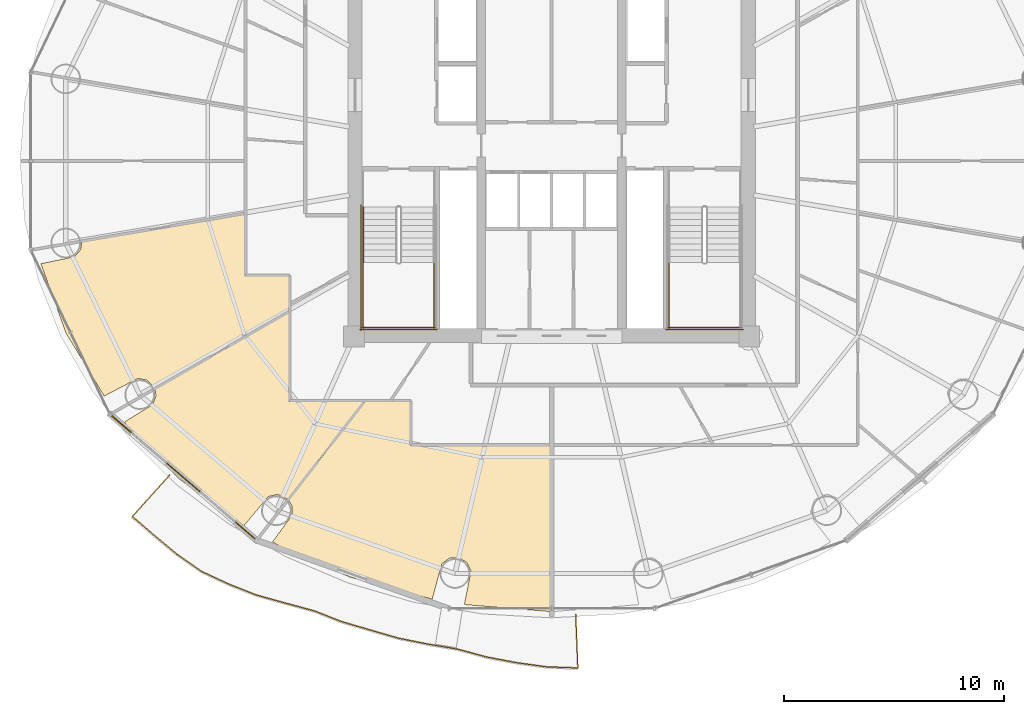
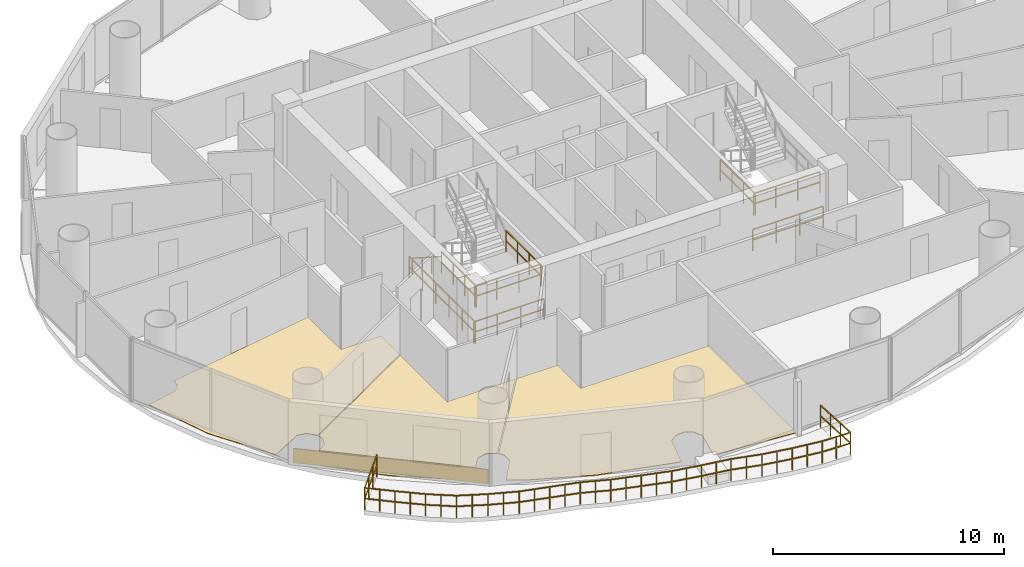
# One storey, part 24 of 26: 10 railings, 4 coverings.
"""IFC4 building model written with IfcOpenShell, lengths in metres."""

from ifc_helpers import new_model, si_unit, direction, frame, origin, origin_2d, place, context, subcontext, project, spatial, polyline, rectangle, outline, extrude, source, transform, mapped, material, layer, layer_set, type_object, element, save


model = new_model("IFC4")

# Units and contexts
model_context = context("Model", 3, precision=1e-05, world=origin(), true_north=direction((-0.2419218956, 0.970295726276)))
body_context = subcontext(model_context, "Body", "Model", "MODEL_VIEW")
ifc_project = project(units=[si_unit("LENGTHUNIT", "METRE"), si_unit("AREAUNIT", "SQUARE_METRE"), si_unit("VOLUMEUNIT", "CUBIC_METRE"), si_unit("PLANEANGLEUNIT", "RADIAN"), si_unit("MASSUNIT", "GRAM", prefix="KILO")], contexts=[model_context])

# Site, building, storey
site_placement = place(None, origin())
site = spatial("IfcSite", under=ifc_project, at=site_placement, CompositionType="ELEMENT")
building_placement = place(site_placement, origin())
building = spatial("IfcBuilding", under=site, at=building_placement, Name="Cobrevalo Terracotta Tower", CompositionType="ELEMENT")
storey_placement = place(building_placement, frame((0.0, 0.0, 175.0)))
storey = spatial("IfcBuildingStorey", under=building, at=storey_placement, Name="L46", CompositionType="ELEMENT", Elevation=175.0)

# Railing
ifc_material_1 = material(Name="Laminated structural glass and stainless steel", Category="steel")
railing_type_1 = type_object("IfcRailingType", Name="Balcony lobe structural glass & terracotta-cap balustrade 1180 mm", PredefinedType="BALUSTRADE", material=ifc_material_1)
railing_1_placement = place(storey_placement, frame((20.60400390625, 12.495849609375, 0.0)))
element("IfcRailing", 1, at=railing_1_placement, inside=storey, type_object=railing_type_1, Name="L46 spiralling balcony lobe balustrade 2", PredefinedType="BALUSTRADE", context=body_context, shape_type="SweptSolid", body=[
    extrude(rectangle(XDim=0.048095703125, YDim=0.048095703125, at=origin_2d()), frame((0.0, 0.0, 1.15576171875), z_axis=(-0.66860239714, -0.743620087503, 0.0), x_axis=(0.743620087503, -0.66860239714, 0.0)), (0.0, 0.0, 1.0), 2.531982421875),
    extrude(rectangle(XDim=0.048095703125, YDim=0.048095703125, at=origin_2d()), frame((0.0, 0.0, 0.58984375), z_axis=(-0.66860239714, -0.743620087503, 0.0), x_axis=(0.743620087503, -0.66860239714, 0.0)), (0.0, 0.0, 1.0), 2.531982421875),
    extrude(rectangle(XDim=0.048095703125, YDim=0.048095703125, at=origin_2d()), frame((-1.69287109375, -1.8828125, 1.15576171875), z_axis=(0.757700778266, -0.652602122748, 0.0), x_axis=(0.652602122748, 0.757700778266, 0.0)), (0.0, 0.0, 1.0), 1.3310546875),
    extrude(rectangle(XDim=0.048095703125, YDim=0.048095703125, at=origin_2d()), frame((-1.69287109375, -1.8828125, 0.58984375), z_axis=(0.757700778266, -0.652602122748, 0.0), x_axis=(0.652602122748, 0.757700778266, 0.0)), (0.0, 0.0, 1.0), 1.3310546875),
    extrude(rectangle(XDim=0.048095703125, YDim=0.048095703125, at=origin_2d()), frame((-0.684326171875, -2.75146484375, 1.15576171875), z_axis=(0.770212764142, -0.637787031816, 0.0), x_axis=(0.637787031816, 0.770212764142, 0.0)), (0.0, 0.0, 1.0), 1.343994140625),
    extrude(rectangle(XDim=0.048095703125, YDim=0.048095703125, at=origin_2d()), frame((-0.684326171875, -2.75146484375, 0.58984375), z_axis=(0.770212764142, -0.637787031816, 0.0), x_axis=(0.637787031816, 0.770212764142, 0.0)), (0.0, 0.0, 1.0), 1.343994140625),
    extrude(rectangle(XDim=0.048095703125, YDim=0.048095703125, at=origin_2d()), frame((0.350830078125, -3.608642578125, 1.15576171875), z_axis=(0.819112394064, -0.573633058576, 0.0), x_axis=(0.573633058576, 0.819112394064, 0.0)), (0.0, 0.0, 1.0), 1.34375),
    extrude(rectangle(XDim=0.048095703125, YDim=0.048095703125, at=origin_2d()), frame((0.350830078125, -3.608642578125, 0.58984375), z_axis=(0.819112394064, -0.573633058576, 0.0), x_axis=(0.573633058576, 0.819112394064, 0.0)), (0.0, 0.0, 1.0), 1.34375),
    extrude(rectangle(XDim=0.048095703125, YDim=0.048095703125, at=origin_2d()), frame((1.451416015625, -4.37939453125, 1.15576171875), z_axis=(0.906169457302, -0.422914784151, 0.0), x_axis=(0.422914784151, 0.906169457302, 0.0)), (0.0, 0.0, 1.0), 1.36767578125),
    extrude(rectangle(XDim=0.048095703125, YDim=0.048095703125, at=origin_2d()), frame((1.451416015625, -4.37939453125, 0.58984375), z_axis=(0.906169457302, -0.422914784151, 0.0), x_axis=(0.422914784151, 0.906169457302, 0.0)), (0.0, 0.0, 1.0), 1.36767578125),
    extrude(rectangle(XDim=0.048095703125, YDim=0.048095703125, at=origin_2d()), frame((2.690673828125, -4.957763671875, 1.15576171875), z_axis=(0.929992128901, -0.367579433841, 0.0), x_axis=(0.367579433841, 0.929992128901, 0.0)), (0.0, 0.0, 1.0), 1.359619140625),
    extrude(rectangle(XDim=0.048095703125, YDim=0.048095703125, at=origin_2d()), frame((2.690673828125, -4.957763671875, 0.58984375), z_axis=(0.929992128901, -0.367579433841, 0.0), x_axis=(0.367579433841, 0.929992128901, 0.0)), (0.0, 0.0, 1.0), 1.359619140625),
    extrude(rectangle(XDim=0.048095703125, YDim=0.048095703125, at=origin_2d()), frame((3.955078125, -5.45751953125, 1.15576171875), z_axis=(0.963533212047, -0.267588768978, 0.0), x_axis=(0.267588768978, 0.963533212047, 0.0)), (0.0, 0.0, 1.0), 1.371337890625),
    extrude(rectangle(XDim=0.048095703125, YDim=0.048095703125, at=origin_2d()), frame((3.955078125, -5.45751953125, 0.58984375), z_axis=(0.963533212047, -0.267588768978, 0.0), x_axis=(0.267588768978, 0.963533212047, 0.0)), (0.0, 0.0, 1.0), 1.371337890625),
    extrude(rectangle(XDim=0.048095703125, YDim=0.048095703125, at=origin_2d()), frame((5.2763671875, -5.824462890625, 1.15576171875), z_axis=(0.965325469079, -0.261049303289, 0.0), x_axis=(0.261049303289, 0.965325469079, 0.0)), (0.0, 0.0, 1.0), 1.35888671875),
    extrude(rectangle(XDim=0.048095703125, YDim=0.048095703125, at=origin_2d()), frame((5.2763671875, -5.824462890625, 0.58984375), z_axis=(0.965325469079, -0.261049303289, 0.0), x_axis=(0.261049303289, 0.965325469079, 0.0)), (0.0, 0.0, 1.0), 1.35888671875),
    extrude(rectangle(XDim=0.048095703125, YDim=0.048095703125, at=origin_2d()), frame((6.588134765625, -6.17919921875, 1.15576171875), z_axis=(0.931210574884, -0.364481639076, 0.0), x_axis=(0.364481639076, 0.931210574884, 0.0)), (0.0, 0.0, 1.0), 1.34228515625),
    extrude(rectangle(XDim=0.048095703125, YDim=0.048095703125, at=origin_2d()), frame((6.588134765625, -6.17919921875, 0.58984375), z_axis=(0.931210574884, -0.364481639076, 0.0), x_axis=(0.364481639076, 0.931210574884, 0.0)), (0.0, 0.0, 1.0), 1.34228515625),
    extrude(rectangle(XDim=0.048095703125, YDim=0.048095703125, at=origin_2d()), frame((7.838134765625, -6.66845703125, 1.15576171875), z_axis=(0.95968051709, -0.281093054198, 0.0), x_axis=(0.281093054198, 0.95968051709, 0.0)), (0.0, 0.0, 1.0), 1.35498046875),
    extrude(rectangle(XDim=0.048095703125, YDim=0.048095703125, at=origin_2d()), frame((7.838134765625, -6.66845703125, 0.58984375), z_axis=(0.95968051709, -0.281093054198, 0.0), x_axis=(0.281093054198, 0.95968051709, 0.0)), (0.0, 0.0, 1.0), 1.35498046875),
    extrude(rectangle(XDim=0.048095703125, YDim=0.048095703125, at=origin_2d()), frame((9.138427734375, -7.04931640625, 1.15576171875), z_axis=(0.96043492504, -0.278504496844, 0.0), x_axis=(0.278504496844, 0.96043492504, 0.0)), (0.0, 0.0, 1.0), 1.354248046875),
    extrude(rectangle(XDim=0.048095703125, YDim=0.048095703125, at=origin_2d()), frame((9.138427734375, -7.04931640625, 0.58984375), z_axis=(0.96043492504, -0.278504496844, 0.0), x_axis=(0.278504496844, 0.96043492504, 0.0)), (0.0, 0.0, 1.0), 1.354248046875),
    extrude(rectangle(XDim=0.048095703125, YDim=0.048095703125, at=origin_2d()), frame((10.439208984375, -7.426513671875, 1.15576171875), z_axis=(0.980759694429, -0.195218907343, 0.0), x_axis=(0.195218907343, 0.980759694429, 0.0)), (0.0, 0.0, 1.0), 1.360595703125),
    extrude(rectangle(XDim=0.048095703125, YDim=0.048095703125, at=origin_2d()), frame((10.439208984375, -7.426513671875, 0.58984375), z_axis=(0.980759694429, -0.195218907343, 0.0), x_axis=(0.195218907343, 0.980759694429, 0.0)), (0.0, 0.0, 1.0), 1.360595703125),
    extrude(rectangle(XDim=0.048095703125, YDim=0.048095703125, at=origin_2d()), frame((11.773681640625, -7.692138671875, 1.15576171875), z_axis=(0.985748009451, -0.168228600015, 0.0), x_axis=(0.168228600015, 0.985748009451, 0.0)), (0.0, 0.0, 1.0), 1.3642578125),
    extrude(rectangle(XDim=0.048095703125, YDim=0.048095703125, at=origin_2d()), frame((11.773681640625, -7.692138671875, 0.58984375), z_axis=(0.985748009451, -0.168228600015, 0.0), x_axis=(0.168228600015, 0.985748009451, 0.0)), (0.0, 0.0, 1.0), 1.3642578125),
    extrude(rectangle(XDim=0.048095703125, YDim=0.048095703125, at=origin_2d()), frame((13.118408203125, -7.921630859375, 1.15576171875), z_axis=(0.965296001871, -0.261158244694, 0.0), x_axis=(0.261158244694, 0.965296001871, 0.0)), (0.0, 0.0, 1.0), 1.381591796875),
    extrude(rectangle(XDim=0.048095703125, YDim=0.048095703125, at=origin_2d()), frame((13.118408203125, -7.921630859375, 0.58984375), z_axis=(0.965296001871, -0.261158244694, 0.0), x_axis=(0.261158244694, 0.965296001871, 0.0)), (0.0, 0.0, 1.0), 1.381591796875),
    extrude(rectangle(XDim=0.048095703125, YDim=0.048095703125, at=origin_2d()), frame((14.4521484375, -8.282470703125, 1.15576171875), z_axis=(0.982650784604, -0.185465456397, 0.0), x_axis=(0.185465456397, 0.982650784604, 0.0)), (0.0, 0.0, 1.0), 1.39013671875),
    extrude(rectangle(XDim=0.048095703125, YDim=0.048095703125, at=origin_2d()), frame((14.4521484375, -8.282470703125, 0.58984375), z_axis=(0.982650784604, -0.185465456397, 0.0), x_axis=(0.185465456397, 0.982650784604, 0.0)), (0.0, 0.0, 1.0), 1.39013671875),
    extrude(rectangle(XDim=0.048095703125, YDim=0.048095703125, at=origin_2d()), frame((15.818115234375, -8.540283203125, 1.15576171875), z_axis=(0.9906235785, -0.13661963885, 0.0), x_axis=(0.13661963885, 0.9906235785, 0.0)), (0.0, 0.0, 1.0), 1.395751953125),
    extrude(rectangle(XDim=0.048095703125, YDim=0.048095703125, at=origin_2d()), frame((15.818115234375, -8.540283203125, 0.58984375), z_axis=(0.9906235785, -0.13661963885, 0.0), x_axis=(0.13661963885, 0.9906235785, 0.0)), (0.0, 0.0, 1.0), 1.395751953125),
    extrude(rectangle(XDim=0.048095703125, YDim=0.048095703125, at=origin_2d()), frame((17.20068359375, -8.73095703125, 1.15576171875), z_axis=(0.999434161581, -0.033635645753, 0.0), x_axis=(0.033635645753, 0.999434161581, 0.0)), (0.0, 0.0, 1.0), 1.3935546875),
    extrude(rectangle(XDim=0.048095703125, YDim=0.048095703125, at=origin_2d()), frame((17.20068359375, -8.73095703125, 0.58984375), z_axis=(0.999434161581, -0.033635645753, 0.0), x_axis=(0.033635645753, 0.999434161581, 0.0)), (0.0, 0.0, 1.0), 1.3935546875),
    extrude(rectangle(XDim=0.048095703125, YDim=0.048095703125, at=origin_2d()), frame((18.593505859375, -8.77783203125, 1.15576171875), z_axis=(-0.039487733379, 0.999220055299, 0.0), x_axis=(-0.999220055299, -0.039487733379, 0.0)), (0.0, 0.0, 1.0), 2.43603515625),
    extrude(rectangle(XDim=0.048095703125, YDim=0.048095703125, at=origin_2d()), frame((18.593505859375, -8.77783203125, 0.58984375), z_axis=(-0.039487733379, 0.999220055299, 0.0), x_axis=(-0.999220055299, -0.039487733379, 0.0)), (0.0, 0.0, 1.0), 2.43603515625),
    extrude(rectangle(XDim=0.0419921875, YDim=0.0419921875, at=origin_2d()), origin(), (0.0, 0.0, 1.0), 1.1318359375),
    extrude(rectangle(XDim=0.0419921875, YDim=0.0419921875, at=origin_2d()), frame((-0.564208984375, -0.627685546875, 0.0)), (0.0, 0.0, 1.0), 1.1318359375),
    extrude(rectangle(XDim=0.0419921875, YDim=0.0419921875, at=origin_2d()), frame((-1.128662109375, -1.255126953125, 0.0)), (0.0, 0.0, 1.0), 1.1318359375),
    extrude(rectangle(XDim=0.0419921875, YDim=0.0419921875, at=origin_2d()), frame((-1.69287109375, -1.8828125, 0.0)), (0.0, 0.0, 1.0), 1.1318359375),
    extrude(rectangle(XDim=0.0419921875, YDim=0.0419921875, at=origin_2d()), frame((-1.1884765625, -2.317138671875, 0.0)), (0.0, 0.0, 1.0), 1.1318359375),
    extrude(rectangle(XDim=0.0419921875, YDim=0.0419921875, at=origin_2d()), frame((-0.684326171875, -2.75146484375, 0.0)), (0.0, 0.0, 1.0), 1.1318359375),
    extrude(rectangle(XDim=0.0419921875, YDim=0.0419921875, at=origin_2d()), frame((-0.166748046875, -3.18017578125, 0.0)), (0.0, 0.0, 1.0), 1.1318359375),
    extrude(rectangle(XDim=0.0419921875, YDim=0.0419921875, at=origin_2d()), frame((0.350830078125, -3.608642578125, 0.0)), (0.0, 0.0, 1.0), 1.1318359375),
    extrude(rectangle(XDim=0.0419921875, YDim=0.0419921875, at=origin_2d()), frame((0.901123046875, -3.994140625, 0.0)), (0.0, 0.0, 1.0), 1.1318359375),
    extrude(rectangle(XDim=0.0419921875, YDim=0.0419921875, at=origin_2d()), frame((1.451416015625, -4.37939453125, 0.0)), (0.0, 0.0, 1.0), 1.1318359375),
    extrude(rectangle(XDim=0.0419921875, YDim=0.0419921875, at=origin_2d()), frame((2.071044921875, -4.66845703125, 0.0)), (0.0, 0.0, 1.0), 1.1318359375),
    extrude(rectangle(XDim=0.0419921875, YDim=0.0419921875, at=origin_2d()), frame((2.690673828125, -4.957763671875, 0.0)), (0.0, 0.0, 1.0), 1.1318359375),
    extrude(rectangle(XDim=0.0419921875, YDim=0.0419921875, at=origin_2d()), frame((3.32275390625, -5.20751953125, 0.0)), (0.0, 0.0, 1.0), 1.1318359375),
    extrude(rectangle(XDim=0.0419921875, YDim=0.0419921875, at=origin_2d()), frame((3.955078125, -5.45751953125, 0.0)), (0.0, 0.0, 1.0), 1.1318359375),
    extrude(rectangle(XDim=0.0419921875, YDim=0.0419921875, at=origin_2d()), frame((4.61572265625, -5.64111328125, 0.0)), (0.0, 0.0, 1.0), 1.1318359375),
    extrude(rectangle(XDim=0.0419921875, YDim=0.0419921875, at=origin_2d()), frame((5.2763671875, -5.824462890625, 0.0)), (0.0, 0.0, 1.0), 1.1318359375),
    extrude(rectangle(XDim=0.0419921875, YDim=0.0419921875, at=origin_2d()), frame((5.93212890625, -6.001953125, 0.0)), (0.0, 0.0, 1.0), 1.1318359375),
    extrude(rectangle(XDim=0.0419921875, YDim=0.0419921875, at=origin_2d()), frame((6.588134765625, -6.17919921875, 0.0)), (0.0, 0.0, 1.0), 1.1318359375),
    extrude(rectangle(XDim=0.0419921875, YDim=0.0419921875, at=origin_2d()), frame((7.213134765625, -6.423828125, 0.0)), (0.0, 0.0, 1.0), 1.1318359375),
    extrude(rectangle(XDim=0.0419921875, YDim=0.0419921875, at=origin_2d()), frame((7.838134765625, -6.66845703125, 0.0)), (0.0, 0.0, 1.0), 1.1318359375),
    extrude(rectangle(XDim=0.0419921875, YDim=0.0419921875, at=origin_2d()), frame((8.48828125, -6.85888671875, 0.0)), (0.0, 0.0, 1.0), 1.1318359375),
    extrude(rectangle(XDim=0.0419921875, YDim=0.0419921875, at=origin_2d()), frame((9.138427734375, -7.04931640625, 0.0)), (0.0, 0.0, 1.0), 1.1318359375),
    extrude(rectangle(XDim=0.0419921875, YDim=0.0419921875, at=origin_2d()), frame((9.788818359375, -7.23779296875, 0.0)), (0.0, 0.0, 1.0), 1.1318359375),
    extrude(rectangle(XDim=0.0419921875, YDim=0.0419921875, at=origin_2d()), frame((10.439208984375, -7.426513671875, 0.0)), (0.0, 0.0, 1.0), 1.1318359375),
    extrude(rectangle(XDim=0.0419921875, YDim=0.0419921875, at=origin_2d()), frame((11.1064453125, -7.559326171875, 0.0)), (0.0, 0.0, 1.0), 1.1318359375),
    extrude(rectangle(XDim=0.0419921875, YDim=0.0419921875, at=origin_2d()), frame((11.773681640625, -7.692138671875, 0.0)), (0.0, 0.0, 1.0), 1.1318359375),
    extrude(rectangle(XDim=0.0419921875, YDim=0.0419921875, at=origin_2d()), frame((12.446044921875, -7.806884765625, 0.0)), (0.0, 0.0, 1.0), 1.1318359375),
    extrude(rectangle(XDim=0.0419921875, YDim=0.0419921875, at=origin_2d()), frame((13.118408203125, -7.921630859375, 0.0)), (0.0, 0.0, 1.0), 1.1318359375),
    extrude(rectangle(XDim=0.0419921875, YDim=0.0419921875, at=origin_2d()), frame((13.78515625, -8.10205078125, 0.0)), (0.0, 0.0, 1.0), 1.1318359375),
    extrude(rectangle(XDim=0.0419921875, YDim=0.0419921875, at=origin_2d()), frame((14.4521484375, -8.282470703125, 0.0)), (0.0, 0.0, 1.0), 1.1318359375),
    extrude(rectangle(XDim=0.0419921875, YDim=0.0419921875, at=origin_2d()), frame((15.13525390625, -8.411376953125, 0.0)), (0.0, 0.0, 1.0), 1.1318359375),
    extrude(rectangle(XDim=0.0419921875, YDim=0.0419921875, at=origin_2d()), frame((15.818115234375, -8.540283203125, 0.0)), (0.0, 0.0, 1.0), 1.1318359375),
    extrude(rectangle(XDim=0.0419921875, YDim=0.0419921875, at=origin_2d()), frame((16.50927734375, -8.6357421875, 0.0)), (0.0, 0.0, 1.0), 1.1318359375),
    extrude(rectangle(XDim=0.0419921875, YDim=0.0419921875, at=origin_2d()), frame((17.20068359375, -8.73095703125, 0.0)), (0.0, 0.0, 1.0), 1.1318359375),
    extrude(rectangle(XDim=0.0419921875, YDim=0.0419921875, at=origin_2d()), frame((17.89697265625, -8.75439453125, 0.0)), (0.0, 0.0, 1.0), 1.1318359375),
    extrude(rectangle(XDim=0.0419921875, YDim=0.0419921875, at=origin_2d()), frame((18.593505859375, -8.77783203125, 0.0)), (0.0, 0.0, 1.0), 1.1318359375),
    extrude(rectangle(XDim=0.0419921875, YDim=0.0419921875, at=origin_2d()), frame((18.5615234375, -7.966552734375, 0.0)), (0.0, 0.0, 1.0), 1.1318359375),
    extrude(rectangle(XDim=0.0419921875, YDim=0.0419921875, at=origin_2d()), frame((18.529296875, -7.155029296875, 0.0)), (0.0, 0.0, 1.0), 1.1318359375),
    extrude(rectangle(XDim=0.0419921875, YDim=0.0419921875, at=origin_2d()), frame((18.497314453125, -6.34375, 0.0)), (0.0, 0.0, 1.0), 1.1318359375),
])

# Coverings
ifc_material_2 = material(Name="Engineered Brazilian hardwood flooring", Category="wood")
ifc_layer_1 = layer(ifc_material_2, 0.028076171875)
ifc_layer_set_1 = layer_set([ifc_layer_1], Name="Engineered Brazilian hardwood flooring")
covering_type_1 = type_object("IfcCoveringType", Name="Engineered Hardwood Suite Flooring 28", PredefinedType="FLOORING", material=ifc_layer_set_1)
covering_1_placement = place(storey_placement, origin())
element("IfcCovering", 2, at=covering_1_placement, inside=storey, type_object=covering_type_1, Name="Flat L46A Penthouse Family Lounge floor finish", PredefinedType="FLOORING", context=body_context, shape_type="SweptSolid", body=[
    extrude(outline(polyline([(15.900390625, 18.948486328125), (14.748291015625, 22.121826171875), (16.2763671875, 22.43701171875), (16.55859375, 22.760986328125), (16.617431640625, 23.1240234375), (24.044921875, 24.393798828125), (24.044921875, 21.570068359375), (26.054931640625, 21.570068359375), (26.054931640625, 19.963134765625), (19.929931640625, 16.4453125), (19.582763671875, 16.822021484375), (19.1591796875, 16.895263671875), (17.632568359375, 16.09375), (15.900390625, 18.948486328125)])), origin(), (0.0, 0.0, 1.0), 0.030029296875),
])
covering_2_placement = place(storey_placement, origin())
element("IfcCovering", 3, at=covering_2_placement, inside=storey, type_object=covering_type_1, Name="Flat L46A Penthouse Family Lounge floor finish", PredefinedType="FLOORING", context=body_context, shape_type="SweptSolid", body=[
    extrude(outline(polyline([(21.0849609375, 12.291259765625), (19.02197265625, 14.309326171875), (18.551513671875, 14.91357421875), (19.834228515625, 15.705810546875), (19.988525390625, 16.10693359375), (19.94384765625, 16.4072265625), (26.054931640625, 19.9169921875), (26.054931640625, 15.85498046875), (29.466064453125, 15.85498046875), (25.997802734375, 11.3935546875), (25.529296875, 11.615234375), (25.109619140625, 11.522705078125), (23.99755859375, 10.2001953125), (21.0849609375, 12.291259765625)])), origin(), (0.0, 0.0, 1.0), 0.030029296875),
])
covering_3_placement = place(storey_placement, origin())
element("IfcCovering", 4, at=covering_3_placement, inside=storey, type_object=covering_type_1, Name="Flat L46A Private Cinema Room floor finish", PredefinedType="FLOORING", context=body_context, shape_type="SweptSolid", body=[
    extrude(outline(polyline([(26.038818359375, 9.02978515625), (25.295166015625, 9.4560546875), (26.184326171875, 10.67724609375), (26.175537109375, 11.106689453125), (26.02490234375, 11.363525390625), (29.5166015625, 15.85498046875), (31.570068359375, 15.85498046875), (31.570068359375, 13.844970703125), (37.97998046875, 13.844970703125), (37.97998046875, 6.28125), (34.02880859375, 6.6005859375), (34.3310546875, 8.1376953125), (34.141357421875, 8.5234375), (33.76953125, 8.738525390625), (33.3408203125, 8.7109375), (32.99951171875, 8.44970703125), (32.567138671875, 6.849853515625), (28.84521484375, 7.84228515625), (26.038818359375, 9.02978515625)])), origin(), (0.0, 0.0, 1.0), 0.030029296875),
])

# Railings
ifc_material_3 = material(Name="Brushed stainless steel", Category="steel")
railing_type_2 = type_object("IfcRailingType", Name="Stainless Steel Stair Handrail 900", PredefinedType="HANDRAIL", material=ifc_material_3)
railing_2_placement = place(storey_placement, frame((29.425048828125, 24.699951171875, 0.179931640625)))
element("IfcRailing", 5, at=railing_2_placement, inside=storey, type_object=railing_type_2, Name="L46 ST-1 stair handrail 1", PredefinedType="HANDRAIL", context=body_context, shape_type="SweptSolid", body=[
    extrude(rectangle(XDim=0.048095703125, YDim=0.048095703125, at=origin_2d()), frame((0.0, 0.0, 0.8759765625), z_axis=(0.0, -0.841162588446, 0.540782303519), x_axis=(1.0, 0.0, 0.0)), (0.0, 0.0, 1.0), 2.995849609375),
    extrude(rectangle(XDim=0.0419921875, YDim=0.0419921875, at=origin_2d()), origin(), (0.0, 0.0, 1.0), 0.851806640625),
    extrude(rectangle(XDim=0.0419921875, YDim=0.0419921875, at=origin_2d()), frame((0.0, -0.840087890625, 0.5400390625)), (0.0, 0.0, 1.0), 0.851806640625),
    extrude(rectangle(XDim=0.0419921875, YDim=0.0419921875, at=origin_2d()), frame((0.0, -1.679931640625, 1.080078125)), (0.0, 0.0, 1.0), 0.851806640625),
    extrude(rectangle(XDim=0.0419921875, YDim=0.0419921875, at=origin_2d()), frame((0.0, -2.52001953125, 1.6201171875)), (0.0, 0.0, 1.0), 0.851806640625),
])
ifc_material_4 = material(Name="Painted galvanized steel", Category="steel")
railing_type_3 = type_object("IfcRailingType", Name="Stair Well Guard Balustrade 1150", PredefinedType="GUARDRAIL", material=ifc_material_4)
for number, where, name in (
    (6, (29.425048828125, 22.179931640625, 1.800048828125), "L46 ST-1 stair guard 3"),
    (7, (32.64501953125, 22.179931640625, 1.800048828125), "L46 ST-1 stair guard 4"),
):
    element("IfcRailing", number, at=place(storey_placement, frame(where)), inside=storey, type_object=railing_type_3, Name=name, PredefinedType="GUARDRAIL", context=body_context, shape_type="SweptSolid", body=[
        extrude(rectangle(XDim=0.048095703125, YDim=0.048095703125, at=origin_2d()), frame((0.0, 0.0, 1.1259765625), z_axis=(0.0, -1.0, 0.0), x_axis=(1.0, 0.0, 0.0)), (0.0, 0.0, 1.0), 3.0048828125),
        extrude(rectangle(XDim=0.048095703125, YDim=0.048095703125, at=origin_2d()), frame((0.0, 0.0, 0.574951171875), z_axis=(0.0, -1.0, 0.0), x_axis=(1.0, 0.0, 0.0)), (0.0, 0.0, 1.0), 3.0048828125),
        extrude(rectangle(XDim=0.0419921875, YDim=0.0419921875, at=origin_2d()), origin(), (0.0, 0.0, 1.0), 1.101806640625),
        extrude(rectangle(XDim=0.0419921875, YDim=0.0419921875, at=origin_2d()), frame((0.0, -1.001708984375, 0.0)), (0.0, 0.0, 1.0), 1.101806640625),
        extrude(rectangle(XDim=0.0419921875, YDim=0.0419921875, at=origin_2d()), frame((0.0, -2.003173828125, 0.0)), (0.0, 0.0, 1.0), 1.101806640625),
        extrude(rectangle(XDim=0.0419921875, YDim=0.0419921875, at=origin_2d()), frame((0.0, -3.0048828125, 0.0)), (0.0, 0.0, 1.0), 1.101806640625),
    ])
railing_3_placement = place(storey_placement, frame((29.375, 19.22509765625, 1.800048828125)))
element("IfcRailing", 8, at=railing_3_placement, inside=storey, type_object=railing_type_3, Name="L46 ST-1 stair guard 5", PredefinedType="GUARDRAIL", context=body_context, shape_type="SweptSolid", body=[
    extrude(rectangle(XDim=0.048095703125, YDim=0.048095703125, at=origin_2d()), frame((0.0, 0.0, 1.1259765625), z_axis=(1.0, 0.0, 0.0), x_axis=(0.0, 1.0, 0.0)), (0.0, 0.0, 1.0), 3.320068359375),
    extrude(rectangle(XDim=0.048095703125, YDim=0.048095703125, at=origin_2d()), frame((0.0, 0.0, 0.574951171875), z_axis=(1.0, 0.0, 0.0), x_axis=(0.0, 1.0, 0.0)), (0.0, 0.0, 1.0), 3.320068359375),
    extrude(rectangle(XDim=0.0419921875, YDim=0.0419921875, at=origin_2d()), origin(), (0.0, 0.0, 1.0), 1.101806640625),
    extrude(rectangle(XDim=0.0419921875, YDim=0.0419921875, at=origin_2d()), frame((1.106689453125, 0.0, 0.0)), (0.0, 0.0, 1.0), 1.101806640625),
    extrude(rectangle(XDim=0.0419921875, YDim=0.0419921875, at=origin_2d()), frame((2.21337890625, 0.0, 0.0)), (0.0, 0.0, 1.0), 1.101806640625),
    extrude(rectangle(XDim=0.0419921875, YDim=0.0419921875, at=origin_2d()), frame((3.320068359375, 0.0, 0.0)), (0.0, 0.0, 1.0), 1.101806640625),
])
railing_4_placement = place(storey_placement, frame((29.324951171875, 24.800048828125, 0.0)))
element("IfcRailing", 9, at=railing_4_placement, inside=storey, type_object=railing_type_3, Name="L46 ST-1 stair guard 10", PredefinedType="GUARDRAIL", context=body_context, shape_type="SweptSolid", body=[
    extrude(rectangle(XDim=0.048095703125, YDim=0.048095703125, at=origin_2d()), frame((0.0, 0.0, 1.1259765625), z_axis=(0.0, -1.0, 0.0), x_axis=(1.0, 0.0, 0.0)), (0.0, 0.0, 1.0), 5.72509765625),
    extrude(rectangle(XDim=0.048095703125, YDim=0.048095703125, at=origin_2d()), frame((0.0, 0.0, 0.574951171875), z_axis=(0.0, -1.0, 0.0), x_axis=(1.0, 0.0, 0.0)), (0.0, 0.0, 1.0), 5.72509765625),
    extrude(rectangle(XDim=0.0419921875, YDim=0.0419921875, at=origin_2d()), origin(), (0.0, 0.0, 1.0), 1.101806640625),
    extrude(rectangle(XDim=0.0419921875, YDim=0.0419921875, at=origin_2d()), frame((0.0, -1.14501953125, 0.0)), (0.0, 0.0, 1.0), 1.101806640625),
    extrude(rectangle(XDim=0.0419921875, YDim=0.0419921875, at=origin_2d()), frame((0.0, -2.2900390625, 0.0)), (0.0, 0.0, 1.0), 1.101806640625),
    extrude(rectangle(XDim=0.0419921875, YDim=0.0419921875, at=origin_2d()), frame((0.0, -3.43505859375, 0.0)), (0.0, 0.0, 1.0), 1.101806640625),
    extrude(rectangle(XDim=0.0419921875, YDim=0.0419921875, at=origin_2d()), frame((0.0, -4.580078125, 0.0)), (0.0, 0.0, 1.0), 1.101806640625),
    extrude(rectangle(XDim=0.0419921875, YDim=0.0419921875, at=origin_2d()), frame((0.0, -5.72509765625, 0.0)), (0.0, 0.0, 1.0), 1.101806640625),
])
railing_5_placement = place(storey_placement, frame((29.27490234375, 19.125, 0.0)))
element("IfcRailing", 10, at=railing_5_placement, inside=storey, type_object=railing_type_3, Name="L46 ST-1 stair guard 12", PredefinedType="GUARDRAIL", context=body_context, shape_type="SweptSolid", body=[
    extrude(rectangle(XDim=0.048095703125, YDim=0.048095703125, at=origin_2d()), frame((0.0, 0.0, 1.1259765625), z_axis=(1.0, 0.0, 0.0), x_axis=(0.0, 1.0, 0.0)), (0.0, 0.0, 1.0), 3.52001953125),
    extrude(rectangle(XDim=0.048095703125, YDim=0.048095703125, at=origin_2d()), frame((0.0, 0.0, 0.574951171875), z_axis=(1.0, 0.0, 0.0), x_axis=(0.0, 1.0, 0.0)), (0.0, 0.0, 1.0), 3.52001953125),
    extrude(rectangle(XDim=0.0419921875, YDim=0.0419921875, at=origin_2d()), origin(), (0.0, 0.0, 1.0), 1.101806640625),
    extrude(rectangle(XDim=0.0419921875, YDim=0.0419921875, at=origin_2d()), frame((1.17333984375, 0.0, 0.0)), (0.0, 0.0, 1.0), 1.101806640625),
    extrude(rectangle(XDim=0.0419921875, YDim=0.0419921875, at=origin_2d()), frame((2.3466796875, 0.0, 0.0)), (0.0, 0.0, 1.0), 1.101806640625),
    extrude(rectangle(XDim=0.0419921875, YDim=0.0419921875, at=origin_2d()), frame((3.52001953125, 0.0, 0.0)), (0.0, 0.0, 1.0), 1.101806640625),
])
railing_6_placement = place(storey_placement, frame((43.35498046875, 22.179931640625, 1.800048828125)))
element("IfcRailing", 11, at=railing_6_placement, inside=storey, type_object=railing_type_3, Name="L46 ST-2 stair guard 3", PredefinedType="GUARDRAIL", context=body_context, shape_type="SweptSolid", body=[
    extrude(rectangle(XDim=0.048095703125, YDim=0.048095703125, at=origin_2d()), frame((0.0, 0.0, 1.1259765625), z_axis=(0.0, -1.0, 0.0), x_axis=(1.0, 0.0, 0.0)), (0.0, 0.0, 1.0), 3.0048828125),
    extrude(rectangle(XDim=0.048095703125, YDim=0.048095703125, at=origin_2d()), frame((0.0, 0.0, 0.574951171875), z_axis=(0.0, -1.0, 0.0), x_axis=(1.0, 0.0, 0.0)), (0.0, 0.0, 1.0), 3.0048828125),
    extrude(rectangle(XDim=0.0419921875, YDim=0.0419921875, at=origin_2d()), origin(), (0.0, 0.0, 1.0), 1.101806640625),
    extrude(rectangle(XDim=0.0419921875, YDim=0.0419921875, at=origin_2d()), frame((0.0, -1.001708984375, 0.0)), (0.0, 0.0, 1.0), 1.101806640625),
    extrude(rectangle(XDim=0.0419921875, YDim=0.0419921875, at=origin_2d()), frame((0.0, -2.003173828125, 0.0)), (0.0, 0.0, 1.0), 1.101806640625),
    extrude(rectangle(XDim=0.0419921875, YDim=0.0419921875, at=origin_2d()), frame((0.0, -3.0048828125, 0.0)), (0.0, 0.0, 1.0), 1.101806640625),
])
railing_7_placement = place(storey_placement, frame((43.304931640625, 19.22509765625, 1.800048828125)))
element("IfcRailing", 12, at=railing_7_placement, inside=storey, type_object=railing_type_3, Name="L46 ST-2 stair guard 5", PredefinedType="GUARDRAIL", context=body_context, shape_type="SweptSolid", body=[
    extrude(rectangle(XDim=0.048095703125, YDim=0.048095703125, at=origin_2d()), frame((0.0, 0.0, 1.1259765625), z_axis=(1.0, 0.0, 0.0), x_axis=(0.0, 1.0, 0.0)), (0.0, 0.0, 1.0), 3.320068359375),
    extrude(rectangle(XDim=0.048095703125, YDim=0.048095703125, at=origin_2d()), frame((0.0, 0.0, 0.574951171875), z_axis=(1.0, 0.0, 0.0), x_axis=(0.0, 1.0, 0.0)), (0.0, 0.0, 1.0), 3.320068359375),
    extrude(rectangle(XDim=0.0419921875, YDim=0.0419921875, at=origin_2d()), origin(), (0.0, 0.0, 1.0), 1.101806640625),
    extrude(rectangle(XDim=0.0419921875, YDim=0.0419921875, at=origin_2d()), frame((1.106689453125, 0.0, 0.0)), (0.0, 0.0, 1.0), 1.101806640625),
    extrude(rectangle(XDim=0.0419921875, YDim=0.0419921875, at=origin_2d()), frame((2.21337890625, 0.0, 0.0)), (0.0, 0.0, 1.0), 1.101806640625),
    extrude(rectangle(XDim=0.0419921875, YDim=0.0419921875, at=origin_2d()), frame((3.320068359375, 0.0, 0.0)), (0.0, 0.0, 1.0), 1.101806640625),
])
railing_8_placement = place(storey_placement, frame((43.205078125, 19.125, 0.0)))
element("IfcRailing", 13, at=railing_8_placement, inside=storey, type_object=railing_type_3, Name="L46 ST-2 stair guard 12", PredefinedType="GUARDRAIL", context=body_context, shape_type="SweptSolid", body=[
    extrude(rectangle(XDim=0.048095703125, YDim=0.048095703125, at=origin_2d()), frame((0.0, 0.0, 1.1259765625), z_axis=(1.0, 0.0, 0.0), x_axis=(0.0, 1.0, 0.0)), (0.0, 0.0, 1.0), 3.52001953125),
    extrude(rectangle(XDim=0.048095703125, YDim=0.048095703125, at=origin_2d()), frame((0.0, 0.0, 0.574951171875), z_axis=(1.0, 0.0, 0.0), x_axis=(0.0, 1.0, 0.0)), (0.0, 0.0, 1.0), 3.52001953125),
    extrude(rectangle(XDim=0.0419921875, YDim=0.0419921875, at=origin_2d()), origin(), (0.0, 0.0, 1.0), 1.101806640625),
    extrude(rectangle(XDim=0.0419921875, YDim=0.0419921875, at=origin_2d()), frame((1.17333984375, 0.0, 0.0)), (0.0, 0.0, 1.0), 1.101806640625),
    extrude(rectangle(XDim=0.0419921875, YDim=0.0419921875, at=origin_2d()), frame((2.3466796875, 0.0, 0.0)), (0.0, 0.0, 1.0), 1.101806640625),
    extrude(rectangle(XDim=0.0419921875, YDim=0.0419921875, at=origin_2d()), frame((3.52001953125, 0.0, 0.0)), (0.0, 0.0, 1.0), 1.101806640625),
])

# Covering
ifc_material_5 = material(Name="Glazed terracotta facade cladding tile", Category="masonry")
ifc_layer_2 = layer(ifc_material_5, 0.044921875)
ifc_layer_set_2 = layer_set([ifc_layer_2], Name="Glazed terracotta facade cladding tile")
covering_type_2 = type_object("IfcCoveringType", Name="Architectural terracotta rainscreen spandrel cladding 45 mm", PredefinedType="CLADDING", material=ifc_layer_set_2)
shared_shape = source(origin(), body_context, "Body", "SweptSolid", [
    extrude(rectangle(XDim=8.59228515625, YDim=0.044921875, at=origin_2d()), origin(), (0.0, 0.0, 1.0), 0.760009765625),
])
covering_4_placement = place(storey_placement, frame((21.237548828125, 12.3955078125, 0.0400390625), z_axis=(0.0, 0.0, 1.0), x_axis=(0.758436996112, -0.651746363955, 0.0)))
element("IfcCovering", 14, at=covering_4_placement, inside=storey, type_object=covering_type_2, Name="L46 terracotta spandrel cladding S10", PredefinedType="CLADDING", context=body_context, shape_type="MappedRepresentation", body=[
    mapped(shared_shape, transform((0.0, 0.0, 0.0), scale=1.0)),
])

save(model, "model.ifc")
